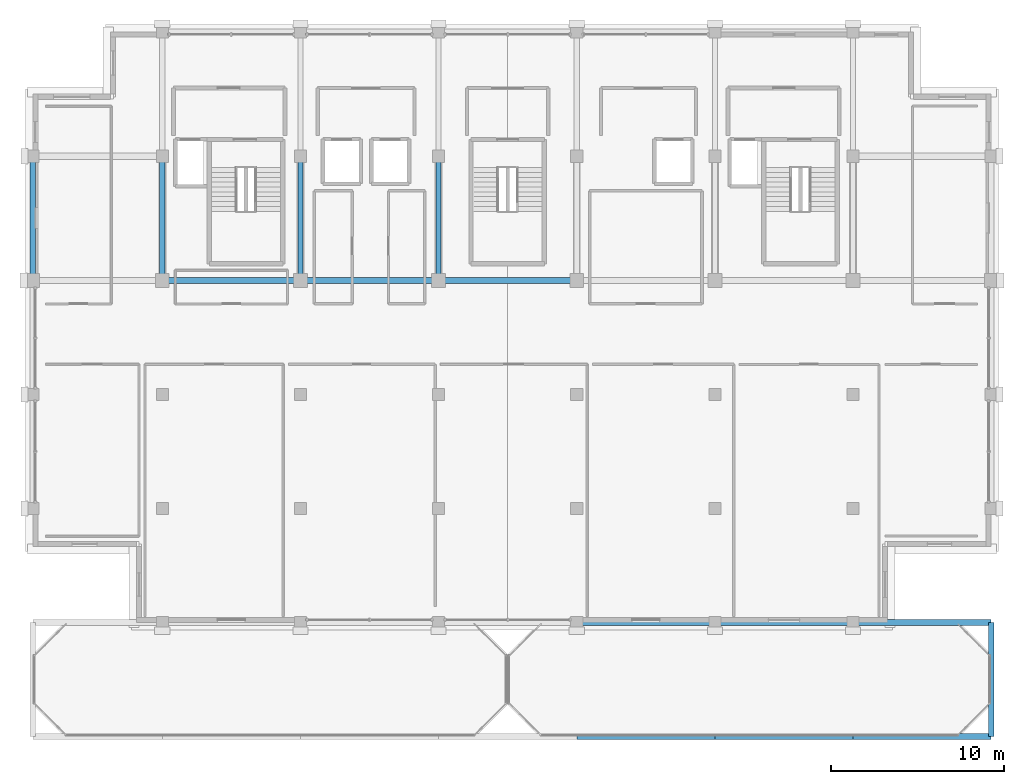
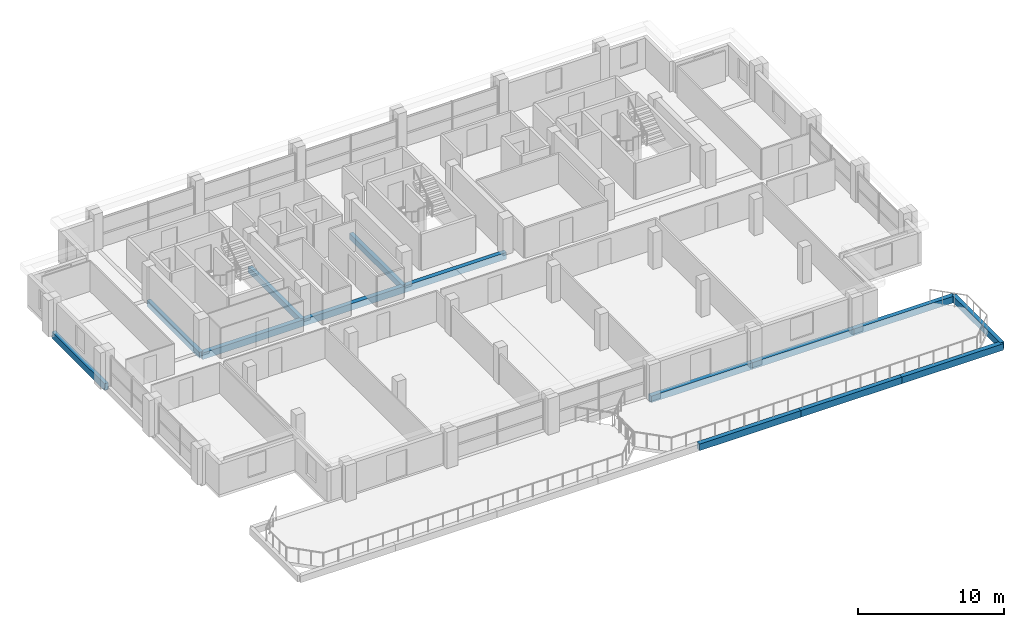
# One storey, part 6 of 21: 14 beams.
"""IFC4 building model written with IfcOpenShell, lengths in metres."""

import ifcopenshell
import ifcopenshell.guid

model = None  # the IFC model being written
_history = None  # IfcOwnerHistory: only IFC2X3 demands one
_inside = {}  # id of a spatial element -> (the spatial element, [elements in it])
_under = {}  # id of a project, library or spatial element -> (it, [spatial elements below it])
_declared = {}  # id of a project -> (the project, [libraries it declares])
_typed = {}  # id of a type object -> (the type object, [elements of that type])
_made_of = {}  # id of a material, layer set ... -> (it, [elements and type objects made of it])


def new_model(schema):
    """Start an empty IFC model of exactly this schema.

    Asked for "IFC4X3", IfcOpenShell would pick the latest addendum, in which some entities
    have other attributes; the version numbers below select the first issue.
    IFC2X3 requires an IfcOwnerHistory on every rooted entity: one is made here for all.
    """
    global model, _history
    if schema == "IFC4X3":
        model = ifcopenshell.file(schema_version=(4, 3, 0, 0))
    else:
        model = ifcopenshell.file(schema=schema)
    _inside.clear()
    _under.clear()
    _declared.clear()
    _typed.clear()
    _made_of.clear()
    _history = None
    if model.schema == "IFC2X3":
        org = make("IfcOrganization", Name="unknown")
        user = make(
            "IfcPersonAndOrganization",
            ThePerson=make("IfcPerson", FamilyName="unknown"),
            TheOrganization=org,
        )
        app = make(
            "IfcApplication",
            ApplicationDeveloper=org,
            Version="unknown",
            ApplicationFullName="unknown",
            ApplicationIdentifier="unknown",
        )
        _history = make(
            "IfcOwnerHistory",
            OwningUser=user,
            OwningApplication=app,
            ChangeAction="ADDED",
            CreationDate=0,
        )
    return model


def make(cls, **values):
    """One entity of the class cls with the attributes given. An attribute that is None is left unset."""
    return model.create_entity(
        cls, **{name: value for name, value in values.items() if value is not None}
    )


def rooted(cls, **values):
    """An entity with a GlobalId (a new one), such as an element, a storey or a relation."""
    return make(cls, GlobalId=ifcopenshell.guid.new(), OwnerHistory=_history, **values)


def si_unit(unit_type, name, prefix=None):
    """IfcSIUnit, for example si_unit("LENGTHUNIT", "METRE", prefix="MILLI")."""
    return make("IfcSIUnit", UnitType=unit_type, Prefix=prefix, Name=name)


def assignment(units):
    """IfcUnitAssignment: the units of a project."""
    return None if units is None else make("IfcUnitAssignment", Units=units)


def point(xyz):
    """IfcCartesianPoint."""
    return None if xyz is None else make("IfcCartesianPoint", Coordinates=xyz)


def direction(xyz):
    """IfcDirection."""
    return None if xyz is None else make("IfcDirection", DirectionRatios=xyz)


def frame(location, z_axis=None, x_axis=None):
    """IfcAxis2Placement3D, a coordinate frame: its origin and axes. An axis left out is left unset."""
    return make(
        "IfcAxis2Placement3D",
        Location=point(location),
        Axis=direction(z_axis),
        RefDirection=direction(x_axis),
    )


def frame_2d(location, x_axis=None):
    """IfcAxis2Placement2D, a coordinate frame in the plane: its origin and x axis."""
    return make(
        "IfcAxis2Placement2D", Location=point(location), RefDirection=direction(x_axis)
    )


def origin():
    """The frame at (0, 0, 0) with its axes left unset."""
    return frame((0.0, 0.0, 0.0))


def origin_2d():
    """The frame at (0, 0) in the plane with its x axis left unset."""
    return frame_2d((0.0, 0.0))


def place(relative_to, where):
    """IfcLocalPlacement: puts the frame where relative to a parent placement (None: the world)."""
    return make(
        "IfcLocalPlacement", PlacementRelTo=relative_to, RelativePlacement=where
    )


def context(
    kind, dimensions, precision=None, world=None, true_north=None, identifier=None
):
    """IfcGeometricRepresentationContext, for example the 3D "Model" context."""
    return make(
        "IfcGeometricRepresentationContext",
        ContextIdentifier=identifier,
        ContextType=kind,
        CoordinateSpaceDimension=dimensions,
        Precision=precision,
        WorldCoordinateSystem=world,
        TrueNorth=true_north,
    )


def subcontext(parent, identifier, kind, view, scale=None):
    """IfcGeometricRepresentationSubContext, for example "Body" below "Model"."""
    return make(
        "IfcGeometricRepresentationSubContext",
        ContextIdentifier=identifier,
        ContextType=kind,
        ParentContext=parent,
        TargetScale=scale,
        TargetView=view,
    )


def project(units=None, contexts=None):
    """IfcProject with its units and contexts."""
    return rooted(
        "IfcProject",
        Name="project",
        RepresentationContexts=contexts,
        UnitsInContext=assignment(units),
    )


def spatial(cls, under=None, at=None, **own):
    """A site, building, storey or space (cls), placed at a placement, below another one or the project."""
    s = rooted(cls, ObjectPlacement=at, **own)
    if under is not None:
        _under.setdefault(under.id(), (under, []))[1].append(s)
    return s


def profile(cls, at=None, kind="AREA", **sizes):
    """A parametric profile (cls). Its sizes go by their IFC names, for example OverallWidth=200.0."""
    return make(cls, ProfileType=kind, Position=at, **sizes)


def rectangle(**sizes):
    """IfcRectangleProfileDef."""
    return profile("IfcRectangleProfileDef", **sizes)


def extrude(swept, where, along, depth):
    """IfcExtrudedAreaSolid: the profile swept, set in the frame where, extruded along a direction by depth."""
    return make(
        "IfcExtrudedAreaSolid",
        SweptArea=swept,
        Position=where,
        ExtrudedDirection=direction(along),
        Depth=depth,
    )


def shape(context_of_items, identifier, shape_type, items):
    """IfcShapeRepresentation: the items that make up one representation, for example the "Body"."""
    return make(
        "IfcShapeRepresentation",
        ContextOfItems=context_of_items,
        RepresentationIdentifier=identifier,
        RepresentationType=shape_type,
        Items=items,
    )


def material(Name=None, Category=None):
    """IfcMaterial."""
    return make("IfcMaterial", Name=Name, Category=Category)


def material_profile(
    of_material, cross_section, Name=None, Category=None, Priority=None
):
    """IfcMaterialProfile: a cross section and its material."""
    return make(
        "IfcMaterialProfile",
        Name=Name,
        Material=of_material,
        Profile=cross_section,
        Priority=Priority,
        Category=Category,
    )


def profile_set(profiles, Name=None, composite=None):
    """IfcMaterialProfileSet."""
    return make(
        "IfcMaterialProfileSet",
        Name=Name,
        MaterialProfiles=profiles,
        CompositeProfile=composite,
    )


def made_of(thing, what):
    """Note that an element or type object is made of a material, layer set ...; save() writes the relation."""
    if what is not None:
        _made_of.setdefault(what.id(), (what, []))[1].append(thing)
    return thing


def type_object(cls, material=None, **own):
    """A type object (cls), such as IfcWallType, which elements share."""
    return made_of(rooted(cls, **own), material)


def element(
    cls,
    number,
    at=None,
    inside=None,
    cuts=None,
    type_object=None,
    material=None,
    context=None,
    identifier="Body",
    shape_type=None,
    held_by="IfcProductDefinitionShape",
    body=None,
    shapes=None,
    **own,
):
    """One element of the class cls, such as IfcWall. Its Tag is "e" and its number.

    at: its placement. inside: the storey or other place that contains it. cuts: it is an
    opening in that element (IfcRelVoidsElement). A single representation is given by context,
    identifier, shape_type and body (its items); several are given by shapes. held_by: the class
    of the entity that holds the representations. save() writes the other relations.
    """
    e = rooted(cls, Tag="e%d" % number, ObjectPlacement=at, **own)
    if body is not None:
        shapes = [shape(context, identifier, shape_type, body)]
    if shapes is not None:
        e.Representation = make(held_by, Representations=shapes)
    if inside is not None:
        _inside.setdefault(inside.id(), (inside, []))[1].append(e)
    if cuts is not None:
        rooted(
            "IfcRelVoidsElement", RelatingBuildingElement=cuts, RelatedOpeningElement=e
        )
    if type_object is not None:
        _typed.setdefault(type_object.id(), (type_object, []))[1].append(e)
    return made_of(e, material)


def aggregate(whole, parts):
    """IfcRelAggregates: a whole, such as a stair, and the parts it consists of."""
    return rooted("IfcRelAggregates", RelatingObject=whole, RelatedObjects=parts)


def save(model, path):
    """Write the relations noted so far, then the file.

    IfcRelAggregates (storeys below a building ...), IfcRelContainedInSpatialStructure (elements
    in a storey), IfcRelDefinesByType, IfcRelAssociatesMaterial and IfcRelDeclares: one each for
    every whole, place, type object, material and project.
    """
    for whole, parts in _under.values():
        aggregate(whole, parts)
    for where, things in _inside.values():
        rooted(
            "IfcRelContainedInSpatialStructure",
            RelatedElements=things,
            RelatingStructure=where,
        )
    for kind, things in _typed.values():
        rooted("IfcRelDefinesByType", RelatedObjects=things, RelatingType=kind)
    for what, things in _made_of.values():
        rooted("IfcRelAssociatesMaterial", RelatedObjects=things, RelatingMaterial=what)
    for by, libraries in _declared.values():
        rooted("IfcRelDeclares", RelatingContext=by, RelatedDefinitions=libraries)
    model.write(path)


model = new_model("IFC4")

# Units and contexts
model_context = context("Model", 3, precision=1e-05, world=origin(), true_north=direction((0.0, 1.0)))
body_context = subcontext(model_context, "Body", "Model", "MODEL_VIEW")
ifc_project = project(units=[si_unit("LENGTHUNIT", "METRE"), si_unit("AREAUNIT", "SQUARE_METRE"), si_unit("VOLUMEUNIT", "CUBIC_METRE"), si_unit("PLANEANGLEUNIT", "RADIAN"), si_unit("MASSUNIT", "GRAM", prefix="KILO")], contexts=[model_context])

# Site, building, storey
site_placement = place(None, origin())
site = spatial("IfcSite", under=ifc_project, at=site_placement, CompositionType="ELEMENT")
building_placement = place(site_placement, origin())
building = spatial("IfcBuilding", under=site, at=building_placement, Name="Akrevak Sports Hall", CompositionType="ELEMENT")
storey_placement = place(building_placement, frame((0.0, 0.0, 53.550048828125)))
storey = spatial("IfcBuildingStorey", under=building, at=storey_placement, Name="L13", CompositionType="ELEMENT", Elevation=53.550048828125)

# Beams
ifc_material = material(Name="Concrete C40/50", Category="concrete")
ifc_material_profile_1 = material_profile(ifc_material, rectangle(XDim=0.300048828125, YDim=0.5, at=origin_2d()), Name="BM 300x500", Category="concrete")
ifc_profile_set_1 = profile_set([ifc_material_profile_1], Name="Concrete C40/50")
beam_type_1 = type_object("IfcBeamType", Name="STR-BM-RC300x500", PredefinedType="BEAM", material=ifc_profile_set_1)
for number, where, z_axis, x_axis, name in (
    (1, (60.0, 55.199951171875, -0.25), (0.0, 1.0, 0.0), (-1.0, 0.0, 0.0), "Girder 9/I-J (L13)"),
    (2, (68.0, 55.199951171875, -0.25), (0.0, 1.0, 0.0), (-1.0, 0.0, 0.0), "Girder 10/I-J (L13)"),
    (3, (76.0, 55.199951171875, -0.25), (0.0, 1.0, 0.0), (-1.0, 0.0, 0.0), "Girder 11/I-J (L13)"),
):
    element("IfcBeam", number, at=place(storey_placement, frame(where, z_axis=z_axis, x_axis=x_axis)), inside=storey, type_object=beam_type_1, Name=name, PredefinedType="BEAM", context=body_context, shape_type="SweptSolid", body=[
        extrude(rectangle(XDim=0.300048828125, YDim=0.5, at=origin_2d()), origin(), (0.0, 0.0, 1.0), 7.199951171875),
    ])
ifc_material_profile_2 = material_profile(ifc_material, rectangle(XDim=0.300048828125, YDim=0.550048828125, at=origin_2d()), Name="BM 300x550", Category="concrete")
ifc_profile_set_2 = profile_set([ifc_material_profile_2], Name="Concrete C40/50")
beam_type_2 = type_object("IfcBeamType", Name="STR-BM-RC300x550", PredefinedType="BEAM", material=ifc_profile_set_2)
beam_1_placement = place(storey_placement, frame((52.5, 55.199951171875, -0.275146484375), z_axis=(0.0, 1.0, 0.0), x_axis=(-1.0, 0.0, 0.0)))
element("IfcBeam", 4, at=beam_1_placement, inside=storey, type_object=beam_type_2, Name="Girder 8/I-J (L13)", PredefinedType="BEAM", context=body_context, shape_type="SweptSolid", body=[
    extrude(rectangle(XDim=0.300048828125, YDim=0.550048828125, at=origin_2d()), origin(), (0.0, 0.0, 1.0), 7.199951171875),
])
beam_2_placement = place(storey_placement, frame((108.0, 28.800048828125, -0.275146484375), z_axis=(0.0, 1.0, 0.0), x_axis=(-1.0, 0.0, 0.0)))
element("IfcBeam", 5, at=beam_2_placement, inside=storey, type_object=beam_type_2, Name="Girder 15/E-F (L13)", PredefinedType="BEAM", context=body_context, shape_type="SweptSolid", body=[
    extrude(rectangle(XDim=0.300048828125, YDim=0.550048828125, at=origin_2d()), origin(), (0.0, 0.0, 1.0), 6.599853515625),
])
ifc_material_profile_3 = material_profile(ifc_material, rectangle(XDim=0.35009765625, YDim=0.550048828125, at=origin_2d()), Name="BM 350x550", Category="concrete")
ifc_profile_set_3 = profile_set([ifc_material_profile_3], Name="Concrete C40/50")
beam_type_3 = type_object("IfcBeamType", Name="STR-BM-RC350x550", PredefinedType="BEAM", material=ifc_profile_set_3)
for number, where, z_axis, x_axis, name in (
    (6, (84.0, 28.800048828125, -0.275146484375), (1.0, 0.0, 0.0), (0.0, 1.0, 0.0), "Girder E/12-13 (L13)"),
    (7, (92.0, 28.800048828125, -0.275146484375), (1.0, 0.0, 0.0), (0.0, 1.0, 0.0), "Girder E/13-14 (L13)"),
    (8, (100.0, 28.800048828125, -0.275146484375), (1.0, 0.0, 0.0), (0.0, 1.0, 0.0), "Girder E/14-15 (L13)"),
    (9, (84.0, 35.39990234375, -0.275146484375), (1.0, 0.0, 0.0), (0.0, 1.0, 0.0), "Girder F/12-13 (L13)"),
    (10, (92.0, 35.39990234375, -0.275146484375), (1.0, 0.0, 0.0), (0.0, 1.0, 0.0), "Girder F/13-14 (L13)"),
    (11, (100.0, 35.39990234375, -0.275146484375), (1.0, 0.0, 0.0), (0.0, 1.0, 0.0), "Girder F/14-15 (L13)"),
    (12, (60.0, 55.199951171875, -0.275146484375), (1.0, 0.0, 0.0), (0.0, 1.0, 0.0), "Girder I/9-10 (L13)"),
    (13, (68.0, 55.199951171875, -0.275146484375), (1.0, 0.0, 0.0), (0.0, 1.0, 0.0), "Girder I/10-11 (L13)"),
    (14, (76.0, 55.199951171875, -0.275146484375), (1.0, 0.0, 0.0), (0.0, 1.0, 0.0), "Girder I/11-12 (L13)"),
):
    element("IfcBeam", number, at=place(storey_placement, frame(where, z_axis=z_axis, x_axis=x_axis)), inside=storey, type_object=beam_type_3, Name=name, PredefinedType="BEAM", context=body_context, shape_type="SweptSolid", body=[
        extrude(rectangle(XDim=0.35009765625, YDim=0.550048828125, at=origin_2d()), origin(), (0.0, 0.0, 1.0), 8.0),
    ])

save(model, "model.ifc")
